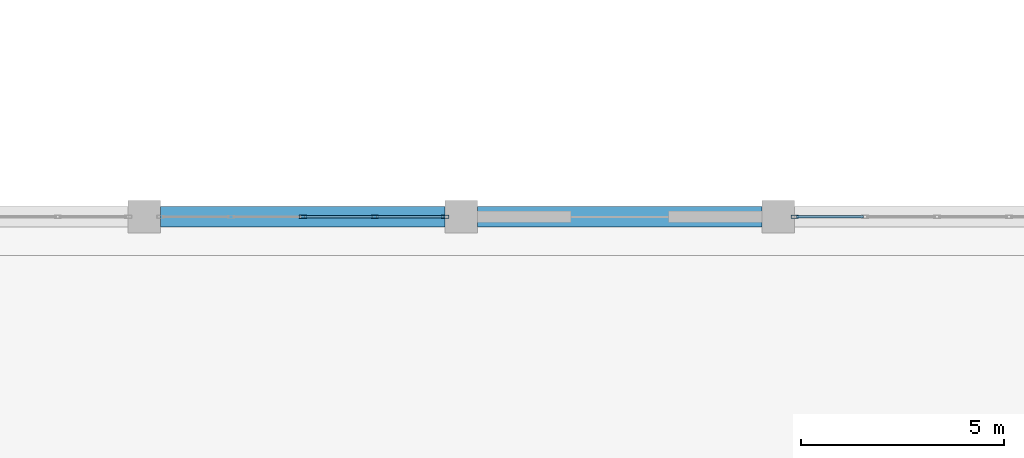
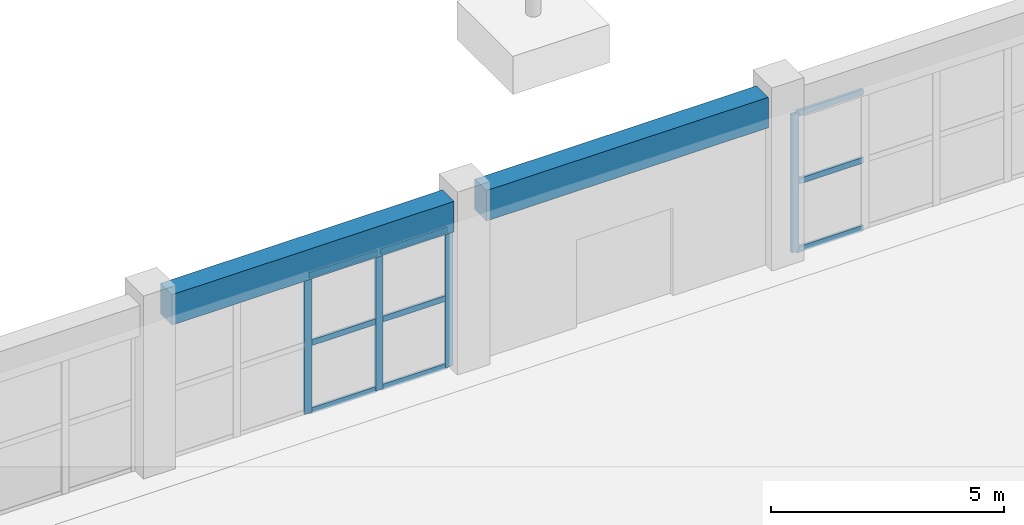
# One storey, part 26 of 139: 13 members, 2 beams, 2 elements without a shape of their own.
"""IFC4 building model written with IfcOpenShell, lengths in metres."""

from ifc_helpers import new_model, si_unit, direction, frame, origin, origin_2d, place, context, subcontext, project, spatial, rectangle, hollow_rectangle, extrude, material, layer, layer_set, material_profile, profile_set, type_object, element, aggregate, save


model = new_model("IFC4")

# Units and contexts
model_context = context("Model", 3, precision=1e-05, world=origin(), true_north=direction((0.0, 1.0)))
body_context = subcontext(model_context, "Body", "Model", "MODEL_VIEW")
ifc_project = project(units=[si_unit("LENGTHUNIT", "METRE"), si_unit("AREAUNIT", "SQUARE_METRE"), si_unit("VOLUMEUNIT", "CUBIC_METRE"), si_unit("PLANEANGLEUNIT", "RADIAN"), si_unit("MASSUNIT", "GRAM", prefix="KILO")], contexts=[model_context])

# Site, building, storey
site_placement = place(None, origin())
site = spatial("IfcSite", under=ifc_project, at=site_placement, CompositionType="ELEMENT")
building_placement = place(site_placement, origin())
building = spatial("IfcBuilding", under=site, at=building_placement, Name="Zizhar Promenade General Hospital", CompositionType="ELEMENT")
storey_placement = place(building_placement, origin())
storey = spatial("IfcBuildingStorey", under=building, at=storey_placement, Name="L00", CompositionType="ELEMENT", Elevation=0.0)

# Beams
ifc_material_1 = material(Name="Concrete C35/45", Category="concrete")
ifc_material_profile_1 = material_profile(ifc_material_1, rectangle(XDim=0.5, YDim=0.800048828125, at=origin_2d()))
ifc_profile_set_1 = profile_set([ifc_material_profile_1], Name="Concrete C35/45")
beam_type = type_object("IfcBeamType", Name="BM-RC-500x800", PredefinedType="BEAM", material=ifc_profile_set_1)
for number, where, z_axis, x_axis, name in (
    (1, (86.199951171875, 50.39990234375, 4.070068359375), (1.0, 0.0, 0.0), (0.0, 1.0, 0.0), "Grid Beam X L00 (11-6)"),
    (2, (94.0, 50.39990234375, 4.070068359375), (1.0, 0.0, 0.0), (0.0, 1.0, 0.0), "Grid Beam X L00 (12-6)"),
):
    element("IfcBeam", number, at=place(storey_placement, frame(where, z_axis=z_axis, x_axis=x_axis)), inside=storey, type_object=beam_type, Name=name, PredefinedType="BEAM", context=body_context, shape_type="SweptSolid", body=[
        extrude(rectangle(XDim=0.5, YDim=0.800048828125, at=origin_2d()), origin(), (0.0, 0.0, 1.0), 7.0),
    ])

# Curtain wall, members
ifc_material_2 = material(Name="Anodised aluminium 6063-T6 and low-E glass", Category="aluminium")
ifc_layer = layer(ifc_material_2, 0.159912109375)
ifc_layer_set = layer_set([ifc_layer], Name="Anodised aluminium 6063-T6 and low-E glass")
curtain_wall_type = type_object("IfcCurtainWallType", Name="CW-HALL-N", PredefinedType="NOTDEFINED", material=ifc_layer_set)
curtain_wall_1_placement = place(storey_placement, origin())
curtain_wall_1 = element("IfcCurtainWall", 3, at=curtain_wall_1_placement, inside=storey, type_object=curtain_wall_type, Name="Main Hall Courtyard Curtain Wall L00-11", PredefinedType="NOTDEFINED")
ifc_material_3 = material(Name="Anodised aluminium 6063-T6", Category="aluminium")
ifc_material_profile_2 = material_profile(ifc_material_3, hollow_rectangle(XDim=0.080078125, YDim=0.179931640625, WallThickness=0.0048828125, at=origin_2d()))
ifc_profile_set_2 = profile_set([ifc_material_profile_2], Name="Anodised aluminium 6063-T6")
member_type_1 = type_object("IfcMemberType", Name="CWM-ALU-180x80", PredefinedType="MULLION", material=ifc_profile_set_2)
member_1_placement = place(storey_placement, frame((89.699951171875, 50.39990234375, 0.0), z_axis=(0.0, 0.0, 1.0), x_axis=(0.0, 1.0, 0.0)))
member_1 = element("IfcMember", 4, at=member_1_placement, type_object=member_type_1, Name="CW-02 mullion 3", PredefinedType="MULLION", context=body_context, shape_type="SweptSolid", body=[
    extrude(hollow_rectangle(XDim=0.080078125, YDim=0.179931640625, WallThickness=0.0048828125, at=origin_2d()), origin(), (0.0, 0.0, 1.0), 3.6298828125),
])
member_2_placement = place(storey_placement, frame((91.469970703125, 50.39990234375, 0.0), z_axis=(0.0, 0.0, 1.0), x_axis=(0.0, 1.0, 0.0)))
member_2 = element("IfcMember", 5, at=member_2_placement, type_object=member_type_1, Name="CW-02 mullion 4", PredefinedType="MULLION", context=body_context, shape_type="SweptSolid", body=[
    extrude(hollow_rectangle(XDim=0.080078125, YDim=0.179931640625, WallThickness=0.0048828125, at=origin_2d()), origin(), (0.0, 0.0, 1.0), 3.6298828125),
])
member_3_placement = place(storey_placement, frame((93.199951171875, 50.39990234375, 0.0), z_axis=(0.0, 0.0, 1.0), x_axis=(0.0, 1.0, 0.0)))
member_3 = element("IfcMember", 6, at=member_3_placement, type_object=member_type_1, Name="CW-02 mullion 5", PredefinedType="MULLION", context=body_context, shape_type="SweptSolid", body=[
    extrude(hollow_rectangle(XDim=0.080078125, YDim=0.179931640625, WallThickness=0.0048828125, at=origin_2d()), origin(), (0.0, 0.0, 1.0), 3.6298828125),
])

# Curtain wall, member
curtain_wall_2_placement = place(storey_placement, origin())
curtain_wall_2 = element("IfcCurtainWall", 7, at=curtain_wall_2_placement, inside=storey, type_object=curtain_wall_type, Name="Main Hall Courtyard Curtain Wall L00-13", PredefinedType="NOTDEFINED")
member_4_placement = place(storey_placement, frame((101.800048828125, 50.39990234375, 0.0), z_axis=(0.0, 0.0, 1.0), x_axis=(0.0, 1.0, 0.0)))
member_4 = element("IfcMember", 8, at=member_4_placement, type_object=member_type_1, Name="CW-02 mullion 1", PredefinedType="MULLION", context=body_context, shape_type="SweptSolid", body=[
    extrude(hollow_rectangle(XDim=0.080078125, YDim=0.179931640625, WallThickness=0.0048828125, at=origin_2d()), origin(), (0.0, 0.0, 1.0), 3.6298828125),
])

# Member
ifc_material_4 = material(Name="Anodised aluminium 6063-T6", Category="aluminium")
ifc_material_profile_3 = material_profile(ifc_material_4, hollow_rectangle(XDim=0.06005859375, YDim=0.14990234375, WallThickness=0.00390625, at=origin_2d()))
ifc_profile_set_3 = profile_set([ifc_material_profile_3], Name="Anodised aluminium 6063-T6")
member_type_2 = type_object("IfcMemberType", Name="CWT-ALU-150x60", PredefinedType="USERDEFINED", material=ifc_profile_set_3)
member_5_placement = place(storey_placement, frame((89.739990234375, 50.39990234375, 0.030029296875), z_axis=(1.0, 0.0, 0.0), x_axis=(0.0, 1.0, 0.0)))
member_5 = element("IfcMember", 9, at=member_5_placement, type_object=member_type_2, Name="CW-02 transom 3.1", ObjectType="TRANSOM", PredefinedType="USERDEFINED", context=body_context, shape_type="SweptSolid", body=[
    extrude(hollow_rectangle(XDim=0.06005859375, YDim=0.14990234375, WallThickness=0.00390625, at=origin_2d()), origin(), (0.0, 0.0, 1.0), 1.68994140625),
])

member_6_placement = place(storey_placement, frame((89.739990234375, 50.39990234375, 1.81494140625), z_axis=(1.0, 0.0, 0.0), x_axis=(0.0, 1.0, 0.0)))
member_6 = element("IfcMember", 10, at=member_6_placement, type_object=member_type_2, Name="CW-02 transom 3.2", ObjectType="TRANSOM", PredefinedType="USERDEFINED", context=body_context, shape_type="SweptSolid", body=[
    extrude(hollow_rectangle(XDim=0.06005859375, YDim=0.14990234375, WallThickness=0.00390625, at=origin_2d()), origin(), (0.0, 0.0, 1.0), 1.68994140625),
])

member_7_placement = place(storey_placement, frame((89.739990234375, 50.39990234375, 3.60009765625), z_axis=(1.0, 0.0, 0.0), x_axis=(0.0, 1.0, 0.0)))
member_7 = element("IfcMember", 11, at=member_7_placement, type_object=member_type_2, Name="CW-02 transom 3.3", ObjectType="TRANSOM", PredefinedType="USERDEFINED", context=body_context, shape_type="SweptSolid", body=[
    extrude(hollow_rectangle(XDim=0.06005859375, YDim=0.14990234375, WallThickness=0.00390625, at=origin_2d()), origin(), (0.0, 0.0, 1.0), 1.68994140625),
])

member_8_placement = place(storey_placement, frame((91.510009765625, 50.39990234375, 0.030029296875), z_axis=(1.0, 0.0, 0.0), x_axis=(0.0, 1.0, 0.0)))
member_8 = element("IfcMember", 12, at=member_8_placement, type_object=member_type_2, Name="CW-02 transom 4.1", ObjectType="TRANSOM", PredefinedType="USERDEFINED", context=body_context, shape_type="SweptSolid", body=[
    extrude(hollow_rectangle(XDim=0.06005859375, YDim=0.14990234375, WallThickness=0.00390625, at=origin_2d()), origin(), (0.0, 0.0, 1.0), 1.64990234375),
])

member_9_placement = place(storey_placement, frame((91.510009765625, 50.39990234375, 1.81494140625), z_axis=(1.0, 0.0, 0.0), x_axis=(0.0, 1.0, 0.0)))
member_9 = element("IfcMember", 13, at=member_9_placement, type_object=member_type_2, Name="CW-02 transom 4.2", ObjectType="TRANSOM", PredefinedType="USERDEFINED", context=body_context, shape_type="SweptSolid", body=[
    extrude(hollow_rectangle(XDim=0.06005859375, YDim=0.14990234375, WallThickness=0.00390625, at=origin_2d()), origin(), (0.0, 0.0, 1.0), 1.64990234375),
])

member_10_placement = place(storey_placement, frame((91.510009765625, 50.39990234375, 3.60009765625), z_axis=(1.0, 0.0, 0.0), x_axis=(0.0, 1.0, 0.0)))
member_10 = element("IfcMember", 14, at=member_10_placement, type_object=member_type_2, Name="CW-02 transom 4.3", ObjectType="TRANSOM", PredefinedType="USERDEFINED", context=body_context, shape_type="SweptSolid", body=[
    extrude(hollow_rectangle(XDim=0.06005859375, YDim=0.14990234375, WallThickness=0.00390625, at=origin_2d()), origin(), (0.0, 0.0, 1.0), 1.64990234375),
])

aggregate(curtain_wall_1, [member_1, member_2, member_3, member_5, member_6, member_7, member_8, member_9, member_10])

member_11_placement = place(storey_placement, frame((101.840087890625, 50.39990234375, 0.030029296875), z_axis=(1.0, 0.0, 0.0), x_axis=(0.0, 1.0, 0.0)))
member_11 = element("IfcMember", 15, at=member_11_placement, type_object=member_type_2, Name="CW-02 transom 1.1", ObjectType="TRANSOM", PredefinedType="USERDEFINED", context=body_context, shape_type="SweptSolid", body=[
    extrude(hollow_rectangle(XDim=0.06005859375, YDim=0.14990234375, WallThickness=0.00390625, at=origin_2d()), origin(), (0.0, 0.0, 1.0), 1.64990234375),
])

member_12_placement = place(storey_placement, frame((101.840087890625, 50.39990234375, 1.81494140625), z_axis=(1.0, 0.0, 0.0), x_axis=(0.0, 1.0, 0.0)))
member_12 = element("IfcMember", 16, at=member_12_placement, type_object=member_type_2, Name="CW-02 transom 1.2", ObjectType="TRANSOM", PredefinedType="USERDEFINED", context=body_context, shape_type="SweptSolid", body=[
    extrude(hollow_rectangle(XDim=0.06005859375, YDim=0.14990234375, WallThickness=0.00390625, at=origin_2d()), origin(), (0.0, 0.0, 1.0), 1.64990234375),
])

member_13_placement = place(storey_placement, frame((101.840087890625, 50.39990234375, 3.60009765625), z_axis=(1.0, 0.0, 0.0), x_axis=(0.0, 1.0, 0.0)))
member_13 = element("IfcMember", 17, at=member_13_placement, type_object=member_type_2, Name="CW-02 transom 1.3", ObjectType="TRANSOM", PredefinedType="USERDEFINED", context=body_context, shape_type="SweptSolid", body=[
    extrude(hollow_rectangle(XDim=0.06005859375, YDim=0.14990234375, WallThickness=0.00390625, at=origin_2d()), origin(), (0.0, 0.0, 1.0), 1.64990234375),
])

aggregate(curtain_wall_2, [member_4, member_11, member_12, member_13])

save(model, "model.ifc")
